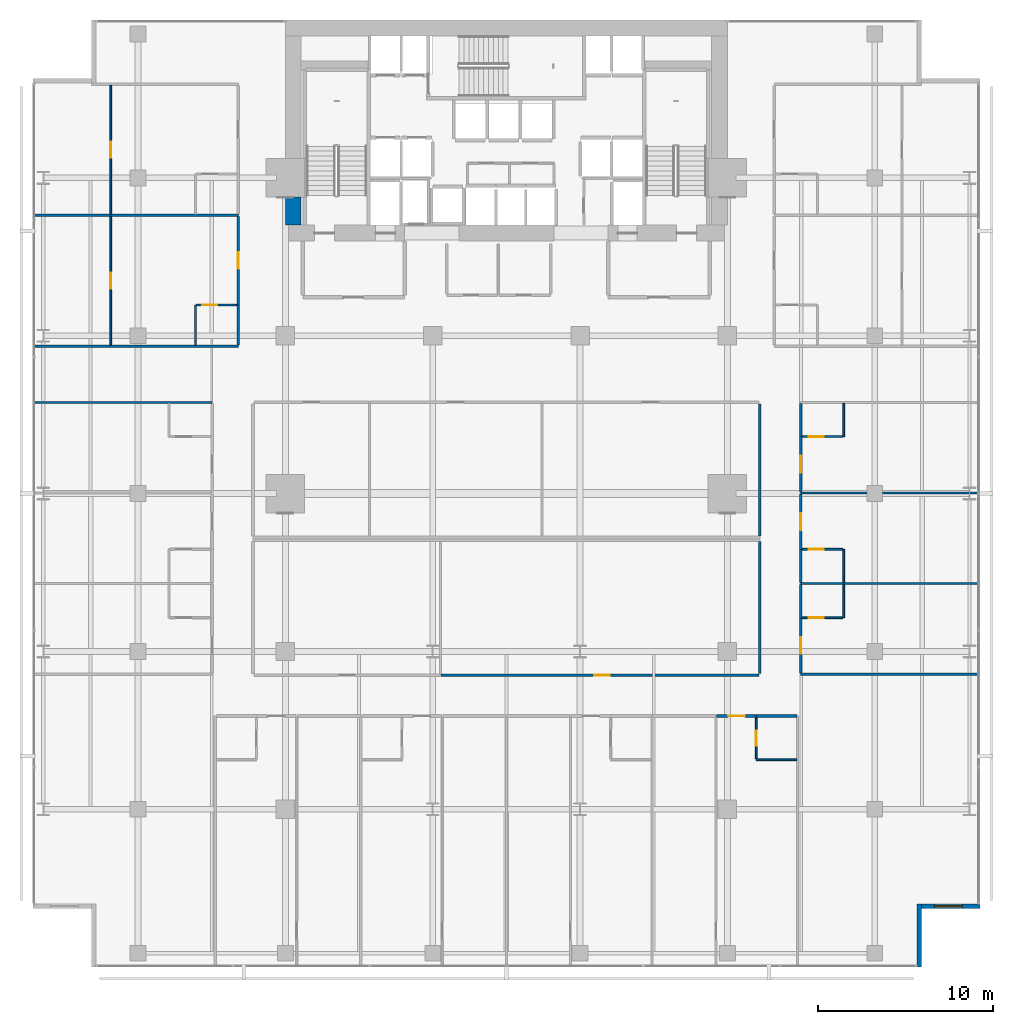
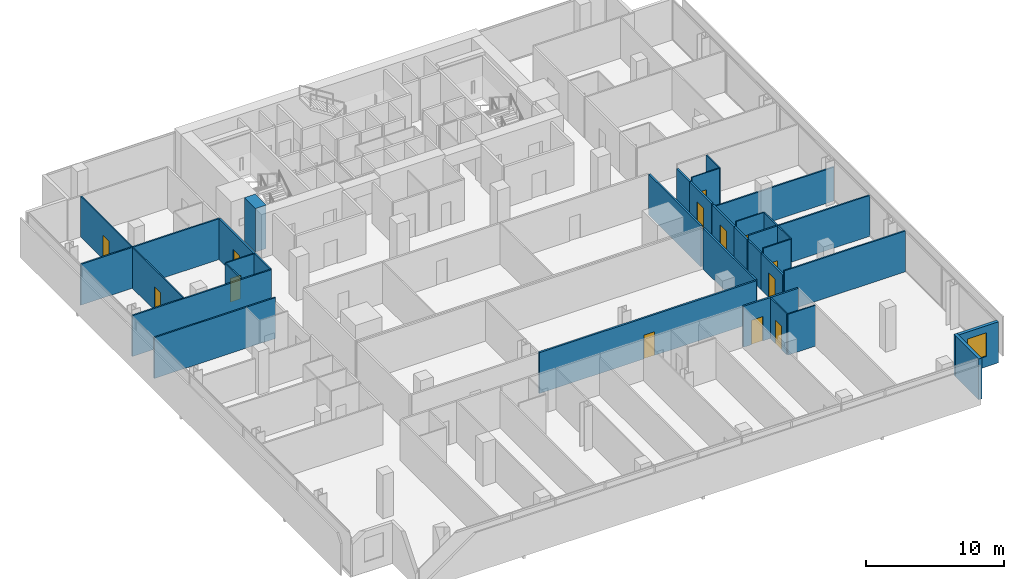
# One storey, part 34 of 40: 34 walls, 13 doors, 1 window, 14 openings.
"""IFC4 building model written with IfcOpenShell, lengths in metres."""

from ifc_helpers import new_model, si_unit, direction, frame, frame_2d, origin, place, context, subcontext, project, spatial, rectangle, extrude, material, layer, layer_set, type_object, element, fill, save


model = new_model("IFC4")

# Units and contexts
model_context = context("Model", 3, precision=1e-05, world=origin(), true_north=direction((0.0, 1.0)))
body_context = subcontext(model_context, "Body", "Model", "MODEL_VIEW")
ifc_project = project(units=[si_unit("LENGTHUNIT", "METRE"), si_unit("AREAUNIT", "SQUARE_METRE"), si_unit("VOLUMEUNIT", "CUBIC_METRE"), si_unit("PLANEANGLEUNIT", "RADIAN"), si_unit("MASSUNIT", "GRAM", prefix="KILO")], contexts=[model_context])

# Site, building, storey
site_placement = place(None, origin())
site = spatial("IfcSite", under=ifc_project, at=site_placement, CompositionType="ELEMENT")
building_placement = place(site_placement, origin())
building = spatial("IfcBuilding", under=site, at=building_placement, Name="Maruvema Waterfront Hotel and Observation Tower", CompositionType="ELEMENT")
storey_placement = place(building_placement, frame((0.0, 0.0, 50.050048828125)))
storey = spatial("IfcBuildingStorey", under=building, at=storey_placement, Name="L11", CompositionType="ELEMENT", Elevation=50.050048828125)

# Walls
ifc_material_1 = material(Name="Twin-stud acoustic gypsum drywall", Category="gypsum")
ifc_layer_1 = layer(ifc_material_1, 0.14990234375, Name="Acoustic Corridor and Suite Demising Wall 150 mm")
ifc_layer_set_1 = layer_set([ifc_layer_1], Name="Twin-stud acoustic gypsum drywall")
wall_type_1 = type_object("IfcWallType", Name="Acoustic Corridor and Suite Demising Wall 150 mm", PredefinedType="PARTITIONING", material=ifc_layer_set_1)
wall_1_placement = place(storey_placement, frame((52.25, 24.580078125, 0.0), z_axis=(0.0, 0.0, 1.0), x_axis=(0.0, 1.0, 0.0)))
element("IfcWall", 1, at=wall_1_placement, inside=storey, type_object=wall_type_1, Name="L11 L11-INTN East Wall 024", PredefinedType="PARTITIONING", context=body_context, shape_type="SweptSolid", body=[
    extrude(rectangle(XDim=7.5400390625, YDim=0.14990234375, at=frame_2d((3.77001953125, 0.0))), origin(), (0.0, 0.0, 1.0), 3.60986328125),
])
wall_2_placement = place(storey_placement, frame((52.25, 16.72998046875, 0.0), z_axis=(0.0, 0.0, 1.0), x_axis=(0.0, 1.0, 0.0)))
element("IfcWall", 2, at=wall_2_placement, inside=storey, type_object=wall_type_1, Name="L11 L11-INTS East Wall 032", PredefinedType="PARTITIONING", context=body_context, shape_type="SweptSolid", body=[
    extrude(rectangle(XDim=7.530029296875, YDim=0.14990234375, at=frame_2d((3.76513671875, 0.0))), origin(), (0.0, 0.0, 1.0), 3.60986328125),
])

# Wall, opening, door
wall_3_placement = place(storey_placement, frame((34.072998046875, 16.64990234375, 0.0), z_axis=(0.0, 0.0, 1.0), x_axis=(1.0, 0.0, 0.0)))
wall_3 = element("IfcWall", 3, at=wall_3_placement, inside=storey, type_object=wall_type_1, Name="L11 L11-INTS Front 2 035", PredefinedType="PARTITIONING", context=body_context, shape_type="SweptSolid", body=[
    extrude(rectangle(XDim=18.116943359375, YDim=0.14990234375, at=frame_2d((9.05859375, 0.0))), origin(), (0.0, 0.0, 1.0), 3.60986328125),
])
opening_1_placement = place(wall_3_placement, frame((8.728515625, 0.0, 0.0)))
opening_1 = element("IfcOpeningElement", 4, at=opening_1_placement, cuts=wall_3, Name="Opening DR-090", PredefinedType="OPENING", context=body_context, shape_type="SweptSolid", body=[
    extrude(rectangle(XDim=0.89990234375, YDim=2.10009765625, at=frame_2d((0.449951171875, 1.050048828125))), frame((0.0, 0.0849609375, 0.0), z_axis=(0.0, -1.0, 0.0), x_axis=(1.0, 0.0, 0.0)), (0.0, 0.0, 1.0), 0.169921875),
])
ifc_material_2 = material(Name="Solid-core lacquered timber leaf", Category="wood")
door_type_1 = type_object("IfcDoorType", Name="Accessible Toilet and Room Door 900x2100 mm", OperationType="NOTDEFINED", PredefinedType="DOOR", material=ifc_material_2)
door_1_placement = place(opening_1_placement, frame((0.89990234375, 0.0, 0.0), z_axis=(0.0, 0.0, 1.0), x_axis=(-1.0, 0.0, 0.0)))
door_1 = element("IfcDoor", 5, at=door_1_placement, inside=storey, type_object=door_type_1, Name="L11 Housekeeping Linen Room Door", OperationType="SINGLE_SWING_RIGHT", OverallHeight=2.10009765625, OverallWidth=0.89990234375, PredefinedType="DOOR", context=body_context, shape_type="SweptSolid", body=[
    extrude(rectangle(XDim=0.89990234375, YDim=2.10009765625, at=frame_2d((0.449951171875, 1.050048828125))), frame((0.0, 0.02490234375, 0.0), z_axis=(0.0, -1.0, 0.0), x_axis=(1.0, 0.0, 0.0)), (0.0, 0.0, 1.0), 0.050048828125),
])
fill(opening_1, door_1)

# Wall
wall_4_placement = place(storey_placement, frame((52.050048828125, 14.320068359375, 0.0), z_axis=(0.0, 0.0, 1.0), x_axis=(1.0, 0.0, 0.0)))
element("IfcWall", 6, at=wall_4_placement, inside=storey, type_object=wall_type_1, Name="L11 Bath L11-S4 Back Wall 059", PredefinedType="PARTITIONING", context=body_context, shape_type="SweptSolid", body=[
    extrude(rectangle(XDim=2.329833984375, YDim=0.14990234375, at=frame_2d((1.1650390625, 0.0))), origin(), (0.0, 0.0, 1.0), 3.60986328125),
])

# Wall, opening, door
wall_5_placement = place(storey_placement, frame((49.7919921875, 14.320068359375, 0.0), z_axis=(0.0, 0.0, 1.0), x_axis=(1.0, 0.0, 0.0)))
wall_5 = element("IfcWall", 7, at=wall_5_placement, inside=storey, type_object=wall_type_1, Name="L11 Unit L11-S4 Corridor Wall 063", PredefinedType="PARTITIONING", context=body_context, shape_type="SweptSolid", body=[
    extrude(rectangle(XDim=2.258056640625, YDim=0.14990234375, at=frame_2d((1.12890625, 0.0))), origin(), (0.0, 0.0, 1.0), 3.60986328125),
])
opening_2_placement = place(wall_5_placement, frame((0.654052734375, 0.0, 0.0)))
opening_2 = element("IfcOpeningElement", 8, at=opening_2_placement, cuts=wall_5, Name="Opening DR-095", PredefinedType="OPENING", context=body_context, shape_type="SweptSolid", body=[
    extrude(rectangle(XDim=0.949951171875, YDim=2.14990234375, at=frame_2d((0.47509765625, 1.074951171875))), frame((0.0, 0.0849609375, 0.0), z_axis=(0.0, -1.0, 0.0), x_axis=(1.0, 0.0, 0.0)), (0.0, 0.0, 1.0), 0.169921875),
])
ifc_material_3 = material(Name="Acoustic solid-core hardwood timber leaf", Category="wood")
door_type_2 = type_object("IfcDoorType", Name="Guestroom Entrance Fire Door 950x2150 mm", OperationType="NOTDEFINED", PredefinedType="DOOR", material=ifc_material_3)
door_2_placement = place(opening_2_placement, frame((0.949951171875, 0.0, 0.0), z_axis=(0.0, 0.0, 1.0), x_axis=(-1.0, 0.0, 0.0)))
door_2 = element("IfcDoor", 9, at=door_2_placement, inside=storey, type_object=door_type_2, Name="L11 Unit L11-S4 Entrance Door", OperationType="SINGLE_SWING_LEFT", OverallHeight=2.14990234375, OverallWidth=0.949951171875, PredefinedType="DOOR", context=body_context, shape_type="SweptSolid", body=[
    extrude(rectangle(XDim=0.949951171875, YDim=2.14990234375, at=frame_2d((0.47509765625, 1.074951171875))), frame((0.0, 0.02490234375, 0.0), z_axis=(0.0, -1.0, 0.0), x_axis=(1.0, 0.0, 0.0)), (0.0, 0.0, 1.0), 0.050048828125),
])
fill(opening_2, door_2)

wall_6_placement = place(storey_placement, frame((54.580078125, 16.760009765625, 0.0), z_axis=(0.0, 0.0, 1.0), x_axis=(0.0, 1.0, 0.0)))
wall_6 = element("IfcWall", 10, at=wall_6_placement, inside=storey, type_object=wall_type_1, Name="L11 Room L11-E1 Corridor Wall 073", PredefinedType="PARTITIONING", context=body_context, shape_type="SweptSolid", body=[
    extrude(rectangle(XDim=3.159912109375, YDim=0.14990234375, at=frame_2d((1.580078125, 0.0))), origin(), (0.0, 0.0, 1.0), 3.20703125),
])
opening_3_placement = place(wall_6_placement, frame((1.10498046875, 0.0, 0.0)))
opening_3 = element("IfcOpeningElement", 11, at=opening_3_placement, cuts=wall_6, Name="Opening DR-095", PredefinedType="OPENING", context=body_context, shape_type="SweptSolid", body=[
    extrude(rectangle(XDim=0.949951171875, YDim=2.14990234375, at=frame_2d((0.47509765625, 1.074951171875))), frame((0.0, 0.0849609375, 0.0), z_axis=(0.0, -1.0, 0.0), x_axis=(1.0, 0.0, 0.0)), (0.0, 0.0, 1.0), 0.169921875),
])
door_3_placement = place(opening_3_placement, frame((0.949951171875, 0.0, 0.0), z_axis=(0.0, 0.0, 1.0), x_axis=(-1.0, 0.0, 0.0)))
door_3 = element("IfcDoor", 12, at=door_3_placement, inside=storey, type_object=door_type_2, Name="L11 Room L11-E1 Entrance Door", OperationType="SINGLE_SWING_RIGHT", OverallHeight=2.14990234375, OverallWidth=0.949951171875, PredefinedType="DOOR", context=body_context, shape_type="SweptSolid", body=[
    extrude(rectangle(XDim=0.949951171875, YDim=2.14990234375, at=frame_2d((0.47509765625, 1.074951171875))), frame((0.0, 0.02490234375, 0.0), z_axis=(0.0, -1.0, 0.0), x_axis=(1.0, 0.0, 0.0)), (0.0, 0.0, 1.0), 0.050048828125),
])
fill(opening_3, door_3)

# Walls
for number, where, z_axis, x_axis, name in (
    (13, (54.580078125, 19.919921875, 0.0), (0.0, 0.0, 1.0), (0.0, 1.0, 0.0), "L11 Bath L11-E1 Wall 074"),
    (14, (54.580078125, 21.929931640625, 0.0), (0.0, 0.0, 1.0), (0.0, 1.0, 0.0), "L11 Bath L11-E2 Wall 083"),
):
    element("IfcWall", number, at=place(storey_placement, frame(where, z_axis=z_axis, x_axis=x_axis)), inside=storey, type_object=wall_type_1, Name=name, PredefinedType="PARTITIONING", context=body_context, shape_type="SweptSolid", body=[
        extrude(rectangle(XDim=1.89013671875, YDim=0.14990234375, at=frame_2d((0.945068359375, 0.0))), origin(), (0.0, 0.0, 1.0), 3.20703125),
    ])

# Wall, opening, door
wall_7_placement = place(storey_placement, frame((54.580078125, 23.820068359375, 0.0), z_axis=(0.0, 0.0, 1.0), x_axis=(0.0, 1.0, 0.0)))
wall_7 = element("IfcWall", 15, at=wall_7_placement, inside=storey, type_object=wall_type_1, Name="L11 Room L11-E2 Corridor Wall 084", PredefinedType="PARTITIONING", context=body_context, shape_type="SweptSolid", body=[
    extrude(rectangle(XDim=3.14990234375, YDim=0.14990234375, at=frame_2d((1.574951171875, 0.0))), origin(), (0.0, 0.0, 1.0), 3.20703125),
])
opening_4_placement = place(wall_7_placement, frame((1.10009765625, 0.0, 0.0)))
opening_4 = element("IfcOpeningElement", 16, at=opening_4_placement, cuts=wall_7, Name="Opening DR-095", PredefinedType="OPENING", context=body_context, shape_type="SweptSolid", body=[
    extrude(rectangle(XDim=0.949951171875, YDim=2.14990234375, at=frame_2d((0.47509765625, 1.074951171875))), frame((0.0, 0.0849609375, 0.0), z_axis=(0.0, -1.0, 0.0), x_axis=(1.0, 0.0, 0.0)), (0.0, 0.0, 1.0), 0.169921875),
])
door_4_placement = place(opening_4_placement, frame((0.949951171875, 0.0, 0.0), z_axis=(0.0, 0.0, 1.0), x_axis=(-1.0, 0.0, 0.0)))
door_4 = element("IfcDoor", 17, at=door_4_placement, inside=storey, type_object=door_type_2, Name="L11 Room L11-E2 Entrance Door", OperationType="SINGLE_SWING_RIGHT", OverallHeight=2.14990234375, OverallWidth=0.949951171875, PredefinedType="DOOR", context=body_context, shape_type="SweptSolid", body=[
    extrude(rectangle(XDim=0.949951171875, YDim=2.14990234375, at=frame_2d((0.47509765625, 1.074951171875))), frame((0.0, 0.02490234375, 0.0), z_axis=(0.0, -1.0, 0.0), x_axis=(1.0, 0.0, 0.0)), (0.0, 0.0, 1.0), 0.050048828125),
])
fill(opening_4, door_4)

wall_8_placement = place(storey_placement, frame((54.580078125, 27.090087890625, 0.0), z_axis=(0.0, 0.0, 1.0), x_axis=(0.0, 1.0, 0.0)))
wall_8 = element("IfcWall", 18, at=wall_8_placement, inside=storey, type_object=wall_type_1, Name="L11 Room L11-E3 Corridor Wall 093", PredefinedType="PARTITIONING", context=body_context, shape_type="SweptSolid", body=[
    extrude(rectangle(XDim=3.159912109375, YDim=0.14990234375, at=frame_2d((1.580078125, 0.0))), origin(), (0.0, 0.0, 1.0), 3.262939453125),
])
opening_5_placement = place(wall_8_placement, frame((1.10498046875, 0.0, 0.0)))
opening_5 = element("IfcOpeningElement", 19, at=opening_5_placement, cuts=wall_8, Name="Opening DR-095", PredefinedType="OPENING", context=body_context, shape_type="SweptSolid", body=[
    extrude(rectangle(XDim=0.949951171875, YDim=2.14990234375, at=frame_2d((0.47509765625, 1.074951171875))), frame((0.0, 0.0849609375, 0.0), z_axis=(0.0, -1.0, 0.0), x_axis=(1.0, 0.0, 0.0)), (0.0, 0.0, 1.0), 0.169921875),
])
door_5_placement = place(opening_5_placement, frame((0.949951171875, 0.0, 0.0), z_axis=(0.0, 0.0, 1.0), x_axis=(-1.0, 0.0, 0.0)))
door_5 = element("IfcDoor", 20, at=door_5_placement, inside=storey, type_object=door_type_2, Name="L11 Room L11-E3 Entrance Door", OperationType="SINGLE_SWING_RIGHT", OverallHeight=2.14990234375, OverallWidth=0.949951171875, PredefinedType="DOOR", context=body_context, shape_type="SweptSolid", body=[
    extrude(rectangle(XDim=0.949951171875, YDim=2.14990234375, at=frame_2d((0.47509765625, 1.074951171875))), frame((0.0, 0.02490234375, 0.0), z_axis=(0.0, -1.0, 0.0), x_axis=(1.0, 0.0, 0.0)), (0.0, 0.0, 1.0), 0.050048828125),
])
fill(opening_5, door_5)

# Walls
wall_9_placement = place(storey_placement, frame((54.580078125, 30.25, 0.0), z_axis=(0.0, 0.0, 1.0), x_axis=(0.0, 1.0, 0.0)))
element("IfcWall", 21, at=wall_9_placement, inside=storey, type_object=wall_type_1, Name="L11 Bath L11-E3 Wall 094", PredefinedType="PARTITIONING", context=body_context, shape_type="SweptSolid", body=[
    extrude(rectangle(XDim=1.889892578125, YDim=0.14990234375, at=frame_2d((0.94482421875, 0.0))), origin(), (0.0, 0.0, 1.0), 3.262939453125),
])
wall_10_placement = place(storey_placement, frame((22.52001953125, 35.4599609375, 0.0), z_axis=(0.0, 0.0, 1.0), x_axis=(0.0, 1.0, 0.0)))
element("IfcWall", 22, at=wall_10_placement, inside=storey, type_object=wall_type_1, Name="L11 Bath L11-NW1 Wall 101", PredefinedType="PARTITIONING", context=body_context, shape_type="SweptSolid", body=[
    extrude(rectangle(XDim=2.2900390625, YDim=0.14990234375, at=frame_2d((1.14501953125, 0.0))), origin(), (0.0, 0.0, 1.0), 3.60986328125),
])

# Wall, opening, door
wall_11_placement = place(storey_placement, frame((22.52001953125, 37.75, 0.0), z_axis=(0.0, 0.0, 1.0), x_axis=(0.0, 1.0, 0.0)))
wall_11 = element("IfcWall", 23, at=wall_11_placement, inside=storey, type_object=wall_type_1, Name="L11 Room L11-NW1 Corridor Wall 102", PredefinedType="PARTITIONING", context=body_context, shape_type="SweptSolid", body=[
    extrude(rectangle(XDim=5.05859375, YDim=0.14990234375, at=frame_2d((2.529296875, 0.0))), origin(), (0.0, 0.0, 1.0), 3.60986328125),
])
opening_6_placement = place(wall_11_placement, frame((2.054443359375, 0.0, 0.0)))
opening_6 = element("IfcOpeningElement", 24, at=opening_6_placement, cuts=wall_11, Name="Opening DR-095", PredefinedType="OPENING", context=body_context, shape_type="SweptSolid", body=[
    extrude(rectangle(XDim=0.949951171875, YDim=2.14990234375, at=frame_2d((0.47509765625, 1.074951171875))), frame((0.0, 0.0849609375, 0.0), z_axis=(0.0, -1.0, 0.0), x_axis=(1.0, 0.0, 0.0)), (0.0, 0.0, 1.0), 0.169921875),
])
door_6_placement = place(opening_6_placement, origin())
door_6 = element("IfcDoor", 25, at=door_6_placement, inside=storey, type_object=door_type_2, Name="L11 Room L11-NW1 Entrance Door", OperationType="SINGLE_SWING_RIGHT", OverallHeight=2.14990234375, OverallWidth=0.949951171875, PredefinedType="DOOR", context=body_context, shape_type="SweptSolid", body=[
    extrude(rectangle(XDim=0.949951171875, YDim=2.14990234375, at=frame_2d((0.47509765625, 1.074951171875))), frame((0.0, 0.02490234375, 0.0), z_axis=(0.0, -1.0, 0.0), x_axis=(1.0, 0.0, 0.0)), (0.0, 0.0, 1.0), 0.050048828125),
])
fill(opening_6, door_6)

# Walls
ifc_material_4 = material(Name="Concrete C80/95", Category="concrete")
ifc_layer_2 = layer(ifc_material_4, 0.89990234375, Name="Core Shear Wall 900 mm")
ifc_layer_set_2 = layer_set([ifc_layer_2], Name="Concrete C80/95")
wall_type_2 = type_object("IfcWallType", Name="Core Shear Wall 900 mm", PredefinedType="SHEAR", material=ifc_layer_set_2)
wall_12_placement = place(storey_placement, frame((25.64990234375, 42.300048828125, 0.0), z_axis=(0.0, 0.0, 1.0), x_axis=(0.0, 1.0, 0.0)))
element("IfcWall", 26, at=wall_12_placement, inside=storey, type_object=wall_type_2, Name="L11 West-South Core Shear Wall", PredefinedType="SHEAR", context=body_context, shape_type="SweptSolid", body=[
    extrude(rectangle(XDim=1.599853515625, YDim=0.89990234375, at=frame_2d((0.7998046875, 0.0))), origin(), (0.0, 0.0, 1.0), 3.849853515625),
])
ifc_material_5 = material(Name="Moisture-resistant cement-board drywall", Category="gypsum")
ifc_layer_3 = layer(ifc_material_5, 0.10009765625, Name="En-Suite Moisture-Resistant Partition 100 mm")
ifc_layer_set_3 = layer_set([ifc_layer_3], Name="Moisture-resistant cement-board drywall")
wall_type_3 = type_object("IfcWallType", Name="En-Suite Moisture-Resistant Partition 100 mm", PredefinedType="PARTITIONING", material=ifc_layer_set_3)
wall_13_placement = place(storey_placement, frame((52.050048828125, 11.820068359375, 0.0), z_axis=(0.0, 0.0, 1.0), x_axis=(1.0, 0.0, 0.0)))
element("IfcWall", 27, at=wall_13_placement, inside=storey, type_object=wall_type_3, Name="L11 En-Suite L11-S4 South 060", PredefinedType="PARTITIONING", context=body_context, shape_type="SweptSolid", body=[
    extrude(rectangle(XDim=2.31005859375, YDim=0.10009765625, at=frame_2d((1.155029296875, 0.0))), origin(), (0.0, 0.0, 1.0), 3.60986328125),
])

# Wall, opening, door
wall_14_placement = place(storey_placement, frame((52.050048828125, 11.8798828125, 0.0), z_axis=(0.0, 0.0, 1.0), x_axis=(0.0, 1.0, 0.0)))
wall_14 = element("IfcWall", 28, at=wall_14_placement, inside=storey, type_object=wall_type_3, Name="L11 En-Suite L11-S4 West 061", PredefinedType="PARTITIONING", context=body_context, shape_type="SweptSolid", body=[
    extrude(rectangle(XDim=2.340087890625, YDim=0.10009765625, at=frame_2d((1.169921875, 0.0))), origin(), (0.0, 0.0, 1.0), 3.60986328125),
])
opening_7_placement = place(wall_14_placement, frame((0.7451171875, 0.0, 0.0)))
opening_7 = element("IfcOpeningElement", 29, at=opening_7_placement, cuts=wall_14, Name="Opening DR-085", PredefinedType="OPENING", context=body_context, shape_type="SweptSolid", body=[
    extrude(rectangle(XDim=0.85009765625, YDim=2.10009765625, at=frame_2d((0.425048828125, 1.050048828125))), frame((0.0, 0.06005859375, 0.0), z_axis=(0.0, -1.0, 0.0), x_axis=(1.0, 0.0, 0.0)), (0.0, 0.0, 1.0), 0.1201171875),
])
ifc_material_6 = material(Name="Moisture-resistant solid timber leaf", Category="wood")
door_type_3 = type_object("IfcDoorType", Name="En-Suite Bathroom Door 850x2100 mm", OperationType="NOTDEFINED", PredefinedType="DOOR", material=ifc_material_6)
door_7_placement = place(opening_7_placement, origin())
door_7 = element("IfcDoor", 30, at=door_7_placement, inside=storey, type_object=door_type_3, Name="L11 En-Suite L11-S4 Door", OperationType="SINGLE_SWING_RIGHT", OverallHeight=2.10009765625, OverallWidth=0.85009765625, PredefinedType="DOOR", context=body_context, shape_type="SweptSolid", body=[
    extrude(rectangle(XDim=0.85009765625, YDim=2.10009765625, at=frame_2d((0.425048828125, 1.050048828125))), frame((0.0, 0.02490234375, 0.0), z_axis=(0.0, -1.0, 0.0), x_axis=(1.0, 0.0, 0.0)), (0.0, 0.0, 1.0), 0.050048828125),
])
fill(opening_7, door_7)

# Wall
wall_15_placement = place(storey_placement, frame((57.030029296875, 19.919921875, 0.0), z_axis=(0.0, 0.0, 1.0), x_axis=(0.0, 1.0, 0.0)))
element("IfcWall", 31, at=wall_15_placement, inside=storey, type_object=wall_type_3, Name="L11 En-Suite L11-E1 E 075", PredefinedType="PARTITIONING", context=body_context, shape_type="SweptSolid", body=[
    extrude(rectangle(XDim=1.89013671875, YDim=0.10009765625, at=frame_2d((0.945068359375, 0.0))), origin(), (0.0, 0.0, 1.0), 3.60986328125),
])

# Wall, opening, door
wall_16_placement = place(storey_placement, frame((54.679931640625, 19.919921875, 0.0), z_axis=(0.0, 0.0, 1.0), x_axis=(1.0, 0.0, 0.0)))
wall_16 = element("IfcWall", 32, at=wall_16_placement, inside=storey, type_object=wall_type_3, Name="L11 En-Suite L11-E1 S 076", PredefinedType="PARTITIONING", context=body_context, shape_type="SweptSolid", body=[
    extrude(rectangle(XDim=2.300048828125, YDim=0.10009765625, at=frame_2d((1.14990234375, 0.0))), origin(), (0.0, 0.0, 1.0), 3.60986328125),
])
opening_8_placement = place(wall_16_placement, frame((0.35009765625, 0.0, 0.0)))
opening_8 = element("IfcOpeningElement", 33, at=opening_8_placement, cuts=wall_16, Name="Opening DR-085", PredefinedType="OPENING", context=body_context, shape_type="SweptSolid", body=[
    extrude(rectangle(XDim=0.85009765625, YDim=2.10009765625, at=frame_2d((0.425048828125, 1.050048828125))), frame((0.0, 0.06005859375, 0.0), z_axis=(0.0, -1.0, 0.0), x_axis=(1.0, 0.0, 0.0)), (0.0, 0.0, 1.0), 0.1201171875),
])
door_8_placement = place(opening_8_placement, frame((0.85009765625, 0.0, 0.0), z_axis=(0.0, 0.0, 1.0), x_axis=(-1.0, 0.0, 0.0)))
door_8 = element("IfcDoor", 34, at=door_8_placement, inside=storey, type_object=door_type_3, Name="L11 En-Suite L11-E1 Door", OperationType="SINGLE_SWING_LEFT", OverallHeight=2.10009765625, OverallWidth=0.85009765625, PredefinedType="DOOR", context=body_context, shape_type="SweptSolid", body=[
    extrude(rectangle(XDim=0.85009765625, YDim=2.10009765625, at=frame_2d((0.425048828125, 1.050048828125))), frame((0.0, 0.02490234375, 0.0), z_axis=(0.0, -1.0, 0.0), x_axis=(1.0, 0.0, 0.0)), (0.0, 0.0, 1.0), 0.050048828125),
])
fill(opening_8, door_8)

# Wall
wall_17_placement = place(storey_placement, frame((57.030029296875, 21.929931640625, 0.0), z_axis=(0.0, 0.0, 1.0), x_axis=(0.0, 1.0, 0.0)))
element("IfcWall", 35, at=wall_17_placement, inside=storey, type_object=wall_type_3, Name="L11 En-Suite L11-E2 E 085", PredefinedType="PARTITIONING", context=body_context, shape_type="SweptSolid", body=[
    extrude(rectangle(XDim=1.89013671875, YDim=0.10009765625, at=frame_2d((0.945068359375, 0.0))), origin(), (0.0, 0.0, 1.0), 3.60986328125),
])

# Wall, opening, door
wall_18_placement = place(storey_placement, frame((54.679931640625, 23.820068359375, 0.0), z_axis=(0.0, 0.0, 1.0), x_axis=(1.0, 0.0, 0.0)))
wall_18 = element("IfcWall", 36, at=wall_18_placement, inside=storey, type_object=wall_type_3, Name="L11 En-Suite L11-E2 N 086", PredefinedType="PARTITIONING", context=body_context, shape_type="SweptSolid", body=[
    extrude(rectangle(XDim=2.300048828125, YDim=0.10009765625, at=frame_2d((1.14990234375, 0.0))), origin(), (0.0, 0.0, 1.0), 3.60986328125),
])
opening_9_placement = place(wall_18_placement, frame((0.35009765625, 0.0, 0.0)))
opening_9 = element("IfcOpeningElement", 37, at=opening_9_placement, cuts=wall_18, Name="Opening DR-085", PredefinedType="OPENING", context=body_context, shape_type="SweptSolid", body=[
    extrude(rectangle(XDim=0.85009765625, YDim=2.10009765625, at=frame_2d((0.425048828125, 1.050048828125))), frame((0.0, 0.06005859375, 0.0), z_axis=(0.0, -1.0, 0.0), x_axis=(1.0, 0.0, 0.0)), (0.0, 0.0, 1.0), 0.1201171875),
])
door_9_placement = place(opening_9_placement, origin())
door_9 = element("IfcDoor", 38, at=door_9_placement, inside=storey, type_object=door_type_3, Name="L11 En-Suite L11-E2 Door", OperationType="SINGLE_SWING_LEFT", OverallHeight=2.10009765625, OverallWidth=0.85009765625, PredefinedType="DOOR", context=body_context, shape_type="SweptSolid", body=[
    extrude(rectangle(XDim=0.85009765625, YDim=2.10009765625, at=frame_2d((0.425048828125, 1.050048828125))), frame((0.0, 0.02490234375, 0.0), z_axis=(0.0, -1.0, 0.0), x_axis=(1.0, 0.0, 0.0)), (0.0, 0.0, 1.0), 0.050048828125),
])
fill(opening_9, door_9)

# Wall
wall_19_placement = place(storey_placement, frame((57.030029296875, 30.25, 0.0), z_axis=(0.0, 0.0, 1.0), x_axis=(0.0, 1.0, 0.0)))
element("IfcWall", 39, at=wall_19_placement, inside=storey, type_object=wall_type_3, Name="L11 En-Suite L11-E3 E 095", PredefinedType="PARTITIONING", context=body_context, shape_type="SweptSolid", body=[
    extrude(rectangle(XDim=1.889892578125, YDim=0.10009765625, at=frame_2d((0.94482421875, 0.0))), origin(), (0.0, 0.0, 1.0), 3.60986328125),
])

# Wall, opening, door
wall_20_placement = place(storey_placement, frame((54.679931640625, 30.25, 0.0), z_axis=(0.0, 0.0, 1.0), x_axis=(1.0, 0.0, 0.0)))
wall_20 = element("IfcWall", 40, at=wall_20_placement, inside=storey, type_object=wall_type_3, Name="L11 En-Suite L11-E3 S 096", PredefinedType="PARTITIONING", context=body_context, shape_type="SweptSolid", body=[
    extrude(rectangle(XDim=2.300048828125, YDim=0.10009765625, at=frame_2d((1.14990234375, 0.0))), origin(), (0.0, 0.0, 1.0), 3.60986328125),
])
opening_10_placement = place(wall_20_placement, frame((0.35009765625, 0.0, 0.0)))
opening_10 = element("IfcOpeningElement", 41, at=opening_10_placement, cuts=wall_20, Name="Opening DR-085", PredefinedType="OPENING", context=body_context, shape_type="SweptSolid", body=[
    extrude(rectangle(XDim=0.85009765625, YDim=2.10009765625, at=frame_2d((0.425048828125, 1.050048828125))), frame((0.0, 0.06005859375, 0.0), z_axis=(0.0, -1.0, 0.0), x_axis=(1.0, 0.0, 0.0)), (0.0, 0.0, 1.0), 0.1201171875),
])
door_10_placement = place(opening_10_placement, frame((0.85009765625, 0.0, 0.0), z_axis=(0.0, 0.0, 1.0), x_axis=(-1.0, 0.0, 0.0)))
door_10 = element("IfcDoor", 42, at=door_10_placement, inside=storey, type_object=door_type_3, Name="L11 En-Suite L11-E3 Door", OperationType="SINGLE_SWING_LEFT", OverallHeight=2.10009765625, OverallWidth=0.85009765625, PredefinedType="DOOR", context=body_context, shape_type="SweptSolid", body=[
    extrude(rectangle(XDim=0.85009765625, YDim=2.10009765625, at=frame_2d((0.425048828125, 1.050048828125))), frame((0.0, 0.02490234375, 0.0), z_axis=(0.0, -1.0, 0.0), x_axis=(1.0, 0.0, 0.0)), (0.0, 0.0, 1.0), 0.050048828125),
])
fill(opening_10, door_10)

# Wall
wall_21_placement = place(storey_placement, frame((20.070068359375, 35.4599609375, 0.0), z_axis=(0.0, 0.0, 1.0), x_axis=(0.0, 1.0, 0.0)))
element("IfcWall", 43, at=wall_21_placement, inside=storey, type_object=wall_type_3, Name="L11 En-Suite L11-NW1 W 103", PredefinedType="PARTITIONING", context=body_context, shape_type="SweptSolid", body=[
    extrude(rectangle(XDim=2.2900390625, YDim=0.10009765625, at=frame_2d((1.14501953125, 0.0))), origin(), (0.0, 0.0, 1.0), 3.60986328125),
])

# Wall, opening, door
wall_22_placement = place(storey_placement, frame((20.1201171875, 37.75, 0.0), z_axis=(0.0, 0.0, 1.0), x_axis=(1.0, 0.0, 0.0)))
wall_22 = element("IfcWall", 44, at=wall_22_placement, inside=storey, type_object=wall_type_3, Name="L11 En-Suite L11-NW1 N 104", PredefinedType="PARTITIONING", context=body_context, shape_type="SweptSolid", body=[
    extrude(rectangle(XDim=2.2998046875, YDim=0.10009765625, at=frame_2d((1.14990234375, 0.0))), origin(), (0.0, 0.0, 1.0), 3.60986328125),
])
opening_11_placement = place(wall_22_placement, frame((0.35009765625, 0.0, 0.0)))
opening_11 = element("IfcOpeningElement", 45, at=opening_11_placement, cuts=wall_22, Name="Opening DR-085", PredefinedType="OPENING", context=body_context, shape_type="SweptSolid", body=[
    extrude(rectangle(XDim=0.85009765625, YDim=2.10009765625, at=frame_2d((0.425048828125, 1.050048828125))), frame((0.0, 0.06005859375, 0.0), z_axis=(0.0, -1.0, 0.0), x_axis=(1.0, 0.0, 0.0)), (0.0, 0.0, 1.0), 0.1201171875),
])
door_11_placement = place(opening_11_placement, origin())
door_11 = element("IfcDoor", 46, at=door_11_placement, inside=storey, type_object=door_type_3, Name="L11 En-Suite L11-NW1 Door", OperationType="SINGLE_SWING_LEFT", OverallHeight=2.10009765625, OverallWidth=0.85009765625, PredefinedType="DOOR", context=body_context, shape_type="SweptSolid", body=[
    extrude(rectangle(XDim=0.85009765625, YDim=2.10009765625, at=frame_2d((0.425048828125, 1.050048828125))), frame((0.0, 0.02490234375, 0.0), z_axis=(0.0, -1.0, 0.0), x_axis=(1.0, 0.0, 0.0)), (0.0, 0.0, 1.0), 0.050048828125),
])
fill(opening_11, door_11)

wall_23_placement = place(storey_placement, frame((15.24951171875, 35.4599609375, 0.0), z_axis=(0.0, 0.0, 1.0), x_axis=(0.0, 1.0, 0.0)))
wall_23 = element("IfcWall", 47, at=wall_23_placement, inside=storey, type_object=wall_type_3, Name="L11 Suite L11-NW1 Split 105", PredefinedType="PARTITIONING", context=body_context, shape_type="SweptSolid", body=[
    extrude(rectangle(XDim=7.3486328125, YDim=0.10009765625, at=frame_2d((3.67431640625, 0.0))), origin(), (0.0, 0.0, 1.0), 3.60986328125),
])
opening_12_placement = place(wall_23_placement, frame((3.224365234375, 0.0, 0.0)))
opening_12 = element("IfcOpeningElement", 48, at=opening_12_placement, cuts=wall_23, Name="Opening DR-090", PredefinedType="OPENING", context=body_context, shape_type="SweptSolid", body=[
    extrude(rectangle(XDim=0.89990234375, YDim=2.10009765625, at=frame_2d((0.449951171875, 1.050048828125))), frame((0.0, 0.06005859375, 0.0), z_axis=(0.0, -1.0, 0.0), x_axis=(1.0, 0.0, 0.0)), (0.0, 0.0, 1.0), 0.1201171875),
])
door_12_placement = place(opening_12_placement, origin())
door_12 = element("IfcDoor", 49, at=door_12_placement, inside=storey, type_object=door_type_1, Name="L11 Suite L11-NW1 Bedroom Door", OperationType="SINGLE_SWING_LEFT", OverallHeight=2.10009765625, OverallWidth=0.89990234375, PredefinedType="DOOR", context=body_context, shape_type="SweptSolid", body=[
    extrude(rectangle(XDim=0.89990234375, YDim=2.10009765625, at=frame_2d((0.449951171875, 1.050048828125))), frame((0.0, 0.02490234375, 0.0), z_axis=(0.0, -1.0, 0.0), x_axis=(1.0, 0.0, 0.0)), (0.0, 0.0, 1.0), 0.050048828125),
])
fill(opening_12, door_12)

wall_24_placement = place(storey_placement, frame((15.24951171875, 42.9287109375, 0.0), z_axis=(0.0, 0.0, 1.0), x_axis=(0.0, 1.0, 0.0)))
wall_24 = element("IfcWall", 50, at=wall_24_placement, inside=storey, type_object=wall_type_3, Name="L11 Suite L11-NW2 Split 117", PredefinedType="PARTITIONING", context=body_context, shape_type="SweptSolid", body=[
    extrude(rectangle(XDim=7.348876953125, YDim=0.10009765625, at=frame_2d((3.67431640625, 0.0))), origin(), (0.0, 0.0, 1.0), 3.60986328125),
])
opening_13_placement = place(wall_24_placement, frame((3.224365234375, 0.0, 0.0)))
opening_13 = element("IfcOpeningElement", 51, at=opening_13_placement, cuts=wall_24, Name="Opening DR-090", PredefinedType="OPENING", context=body_context, shape_type="SweptSolid", body=[
    extrude(rectangle(XDim=0.89990234375, YDim=2.10009765625, at=frame_2d((0.449951171875, 1.050048828125))), frame((0.0, 0.06005859375, 0.0), z_axis=(0.0, -1.0, 0.0), x_axis=(1.0, 0.0, 0.0)), (0.0, 0.0, 1.0), 0.1201171875),
])
door_13_placement = place(opening_13_placement, origin())
door_13 = element("IfcDoor", 52, at=door_13_placement, inside=storey, type_object=door_type_1, Name="L11 Suite L11-NW2 Bedroom Door", OperationType="SINGLE_SWING_LEFT", OverallHeight=2.10009765625, OverallWidth=0.89990234375, PredefinedType="DOOR", context=body_context, shape_type="SweptSolid", body=[
    extrude(rectangle(XDim=0.89990234375, YDim=2.10009765625, at=frame_2d((0.449951171875, 1.050048828125))), frame((0.0, 0.02490234375, 0.0), z_axis=(0.0, -1.0, 0.0), x_axis=(1.0, 0.0, 0.0)), (0.0, 0.0, 1.0), 0.050048828125),
])
fill(opening_13, door_13)

# Wall
ifc_material_7 = material(Name="Precast concrete C45/55 with honed Pernambuco granite facing", Category="masonry")
ifc_layer_4 = layer(ifc_material_7, 0.260009765625, Name="Exterior Granite Clad Spandrel and Pier Wall 260 mm")
ifc_layer_set_4 = layer_set([ifc_layer_4], Name="Precast concrete C45/55 with honed Pernambuco granite facing")
wall_type_4 = type_object("IfcWallType", Name="Exterior Granite Clad Spandrel and Pier Wall 260 mm", PredefinedType="SOLIDWALL", material=ifc_layer_set_4)
wall_25_placement = place(storey_placement, frame((61.330078125, 3.60009765625, 0.0), z_axis=(0.0, 0.0, 1.0), x_axis=(0.0, -1.0, 0.0)))
element("IfcWall", 53, at=wall_25_placement, inside=storey, type_object=wall_type_4, Name="L11 Corner Notch Granite Pier Wall SE1", PredefinedType="SOLIDWALL", context=body_context, shape_type="SweptSolid", body=[
    extrude(rectangle(XDim=3.60009765625, YDim=0.260009765625, at=frame_2d((1.800048828125, 0.0))), origin(), (0.0, 0.0, 1.0), 3.60986328125),
])

# Wall, opening, window
wall_26_placement = place(storey_placement, frame((64.800048828125, 3.469970703125, 0.0), z_axis=(0.0, 0.0, 1.0), x_axis=(-1.0, 0.0, 0.0)))
wall_26 = element("IfcWall", 54, at=wall_26_placement, inside=storey, type_object=wall_type_4, Name="L11 Corner Notch Granite Pier Wall SE2", PredefinedType="SOLIDWALL", context=body_context, shape_type="SweptSolid", body=[
    extrude(rectangle(XDim=3.60009765625, YDim=0.260009765625, at=frame_2d((1.800048828125, 0.0))), origin(), (0.0, 0.0, 1.0), 3.60986328125),
])
opening_14_placement = place(wall_26_placement, frame((1.0, 0.0, 0.89990234375)))
opening_14 = element("IfcOpeningElement", 55, at=opening_14_placement, cuts=wall_26, Name="Opening WN-01", PredefinedType="OPENING", context=body_context, shape_type="SweptSolid", body=[
    extrude(rectangle(XDim=1.60009765625, YDim=2.10009765625, at=frame_2d((0.800048828125, 1.050048828125))), frame((0.0, 0.14013671875, 0.0), z_axis=(0.0, -1.0, 0.0), x_axis=(1.0, 0.0, 0.0)), (0.0, 0.0, 1.0), 0.280029296875),
])
ifc_material_8 = material(Name="Anodised bronze aluminium frame with laminated low-E glass", Category="aluminium")
window_type = type_object("IfcWindowType", Name="Corner Notch Feature Window 1600x2100 mm", PartitioningType="SINGLE_PANEL", PredefinedType="WINDOW", material=ifc_material_8)
window_placement = place(opening_14_placement, origin())
window = element("IfcWindow", 56, at=window_placement, inside=storey, type_object=window_type, Name="L11 Corner Notch Punched Window SE2", OverallHeight=2.10009765625, OverallWidth=1.60009765625, PartitioningType="SINGLE_PANEL", PredefinedType="WINDOW", context=body_context, shape_type="SweptSolid", body=[
    extrude(rectangle(XDim=1.60009765625, YDim=2.10009765625, at=frame_2d((0.800048828125, 1.050048828125))), frame((0.0, 0.030029296875, 0.0), z_axis=(0.0, -1.0, 0.0), x_axis=(1.0, 0.0, 0.0)), (0.0, 0.0, 1.0), 0.06005859375),
])
fill(opening_14, window)

# Walls
ifc_material_9 = material(Name="Acoustic gypsum plasterboard drywall", Category="gypsum")
ifc_layer_5 = layer(ifc_material_9, 0.125, Name="Guestroom Acoustic Demising Wall 125 mm")
ifc_layer_set_5 = layer_set([ifc_layer_5], Name="Acoustic gypsum plasterboard drywall")
wall_type_5 = type_object("IfcWallType", Name="Guestroom Acoustic Demising Wall 125 mm", PredefinedType="PARTITIONING", material=ifc_layer_set_5)
wall_27_placement = place(storey_placement, frame((54.580078125, 16.699951171875, 0.0), z_axis=(0.0, 0.0, 1.0), x_axis=(1.0, 0.0, 0.0)))
element("IfcWall", 57, at=wall_27_placement, inside=storey, type_object=wall_type_5, Name="L11 E Bot End 066", PredefinedType="PARTITIONING", context=body_context, shape_type="SweptSolid", body=[
    extrude(rectangle(XDim=10.119873046875, YDim=0.125, at=frame_2d((5.06005859375, 0.0))), origin(), (0.0, 0.0, 1.0), 3.60986328125),
])
wall_28_placement = place(storey_placement, frame((10.89990234375, 32.199951171875, 0.0), z_axis=(0.0, 0.0, 1.0), x_axis=(1.0, 0.0, 0.0)))
element("IfcWall", 58, at=wall_28_placement, inside=storey, type_object=wall_type_5, Name="L11 W Top End 067", PredefinedType="PARTITIONING", context=body_context, shape_type="SweptSolid", body=[
    extrude(rectangle(XDim=10.1201171875, YDim=0.125, at=frame_2d((5.06005859375, 0.0))), origin(), (0.0, 0.0, 1.0), 3.60986328125),
])
wall_29_placement = place(storey_placement, frame((54.580078125, 21.8701171875, 0.0), z_axis=(0.0, 0.0, 1.0), x_axis=(1.0, 0.0, 0.0)))
element("IfcWall", 59, at=wall_29_placement, inside=storey, type_object=wall_type_5, Name="L11 E Demising 2 078", PredefinedType="PARTITIONING", context=body_context, shape_type="SweptSolid", body=[
    extrude(rectangle(XDim=10.119873046875, YDim=0.125, at=frame_2d((5.06005859375, 0.0))), origin(), (0.0, 0.0, 1.0), 3.60986328125),
])
wall_30_placement = place(storey_placement, frame((54.580078125, 27.030029296875, 0.0), z_axis=(0.0, 0.0, 1.0), x_axis=(1.0, 0.0, 0.0)))
element("IfcWall", 60, at=wall_30_placement, inside=storey, type_object=wall_type_5, Name="L11 E Demising 3 088", PredefinedType="PARTITIONING", context=body_context, shape_type="SweptSolid", body=[
    extrude(rectangle(XDim=10.119873046875, YDim=0.125, at=frame_2d((5.06005859375, 0.0))), origin(), (0.0, 0.0, 1.0), 2.988037109375),
])
for number, where, z_axis, x_axis, name in (
    (61, (10.89990234375, 35.39990234375, 0.0), (0.0, 0.0, 1.0), (1.0, 0.0, 0.0), "L11 NW Bot End 097"),
    (62, (10.89990234375, 42.86865234375, 0.0), (0.0, 0.0, 1.0), (1.0, 0.0, 0.0), "L11 NW Demising 2 111"),
):
    element("IfcWall", number, at=place(storey_placement, frame(where, z_axis=z_axis, x_axis=x_axis)), inside=storey, type_object=wall_type_5, Name=name, PredefinedType="PARTITIONING", context=body_context, shape_type="SweptSolid", body=[
        extrude(rectangle(XDim=11.6201171875, YDim=0.125, at=frame_2d((5.81005859375, 0.0))), origin(), (0.0, 0.0, 1.0), 3.60986328125),
    ])

save(model, "model.ifc")
